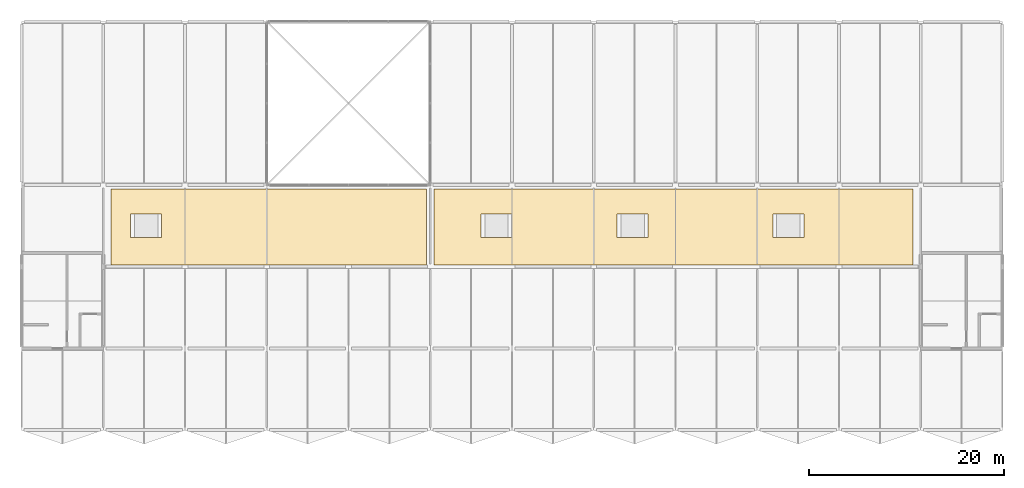
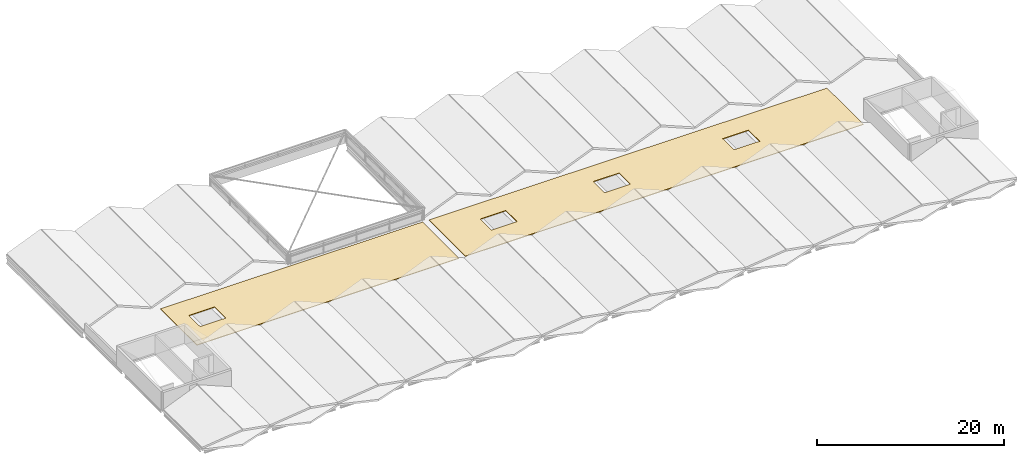
# One storey, part 14 of 14: 2 coverings.
"""IFC4 building model written with IfcOpenShell, lengths in metres."""

from ifc_helpers import new_model, si_unit, direction, frame, origin, place, context, subcontext, project, spatial, polyline, outline, extrude, material, layer, layer_set, type_object, element, save


model = new_model("IFC4")

# Units and contexts
model_context = context("Model", 3, precision=1e-05, world=origin(), true_north=direction((0.0, 1.0)))
body_context = subcontext(model_context, "Body", "Model", "MODEL_VIEW")
ifc_project = project(units=[si_unit("LENGTHUNIT", "METRE"), si_unit("AREAUNIT", "SQUARE_METRE"), si_unit("VOLUMEUNIT", "CUBIC_METRE"), si_unit("PLANEANGLEUNIT", "RADIAN"), si_unit("MASSUNIT", "GRAM", prefix="KILO")], contexts=[model_context])

# Site, building, storey
site_placement = place(None, origin())
site = spatial("IfcSite", under=ifc_project, at=site_placement, CompositionType="ELEMENT")
building_placement = place(site_placement, origin())
building = spatial("IfcBuilding", under=site, at=building_placement, Name="Qawsi Khor Wholesale Market", CompositionType="ELEMENT")
storey_placement = place(building_placement, frame((0.0, 0.0, 20.699951171875)))
storey = spatial("IfcBuildingStorey", under=building, at=storey_placement, Name="RF", CompositionType="ELEMENT", Elevation=20.699951171875)

# Coverings
ifc_material = material(Name="Standing-Seam Aluminium-Zinc Roofing", Category="aluminium")
ifc_layer = layer(ifc_material, 0.080078125, Name="Standing-Seam Aluminium-Zinc Roofing")
ifc_layer_set = layer_set([ifc_layer], Name="Standing-Seam Aluminium-Zinc Roofing")
covering_type = type_object("IfcCoveringType", Name="Standing-Seam Insulated Metal Roofing", PredefinedType="ROOFING", material=ifc_layer_set)
covering_1_placement = place(storey_placement, origin())
element("IfcCovering", 1, at=covering_1_placement, inside=storey, type_object=covering_type, Name="Roof covering 6", PredefinedType="ROOFING", context=body_context, shape_type="SweptSolid", body=[
    extrude(outline(polyline([(34.39990234375, 24.800048828125), (66.800048828125, 24.800048828125), (66.800048828125, 17.0), (34.39990234375, 17.0), (34.39990234375, 24.800048828125)]), holes=[polyline([(39.60009765625, 19.800048828125), (39.60009765625, 22.199951171875), (36.39990234375, 22.199951171875), (36.39990234375, 19.800048828125), (39.60009765625, 19.800048828125)])]), origin(), (0.0, 0.0, 1.0), 0.080078125),
])
covering_2_placement = place(storey_placement, origin())
element("IfcCovering", 2, at=covering_2_placement, inside=storey, type_object=covering_type, Name="Roof covering 7", PredefinedType="ROOFING", context=body_context, shape_type="SweptSolid", body=[
    extrude(outline(polyline([(67.60009765625, 24.800048828125), (116.800048828125, 24.800048828125), (116.800048828125, 17.0), (67.60009765625, 17.0), (67.60009765625, 24.800048828125)]), holes=[polyline([(72.39990234375, 19.800048828125), (75.60009765625, 19.800048828125), (75.60009765625, 22.199951171875), (72.39990234375, 22.199951171875), (72.39990234375, 19.800048828125)]), polyline([(86.39990234375, 22.199951171875), (86.39990234375, 19.800048828125), (89.60009765625, 19.800048828125), (89.60009765625, 22.199951171875), (86.39990234375, 22.199951171875)]), polyline([(102.39990234375, 22.199951171875), (102.39990234375, 19.800048828125), (105.60009765625, 19.800048828125), (105.60009765625, 22.199951171875), (102.39990234375, 22.199951171875)])]), origin(), (0.0, 0.0, 1.0), 0.080078125),
])

save(model, "model.ifc")
